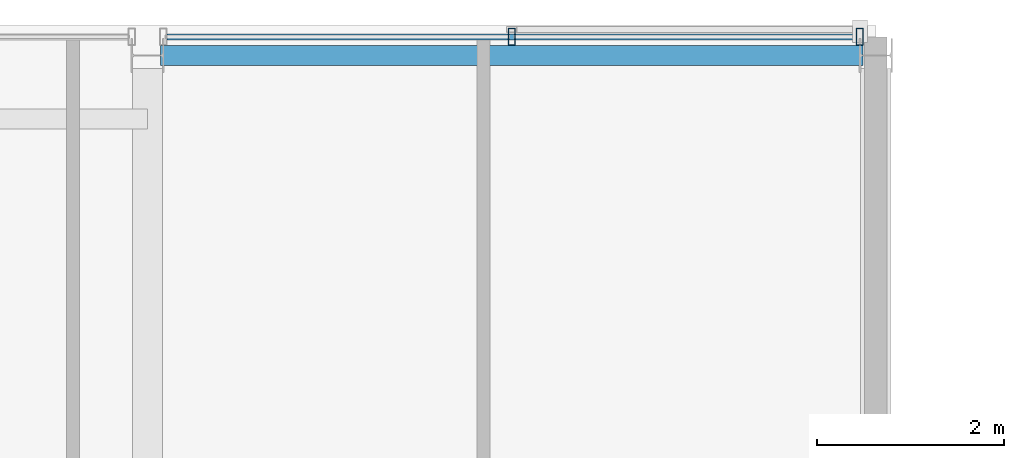
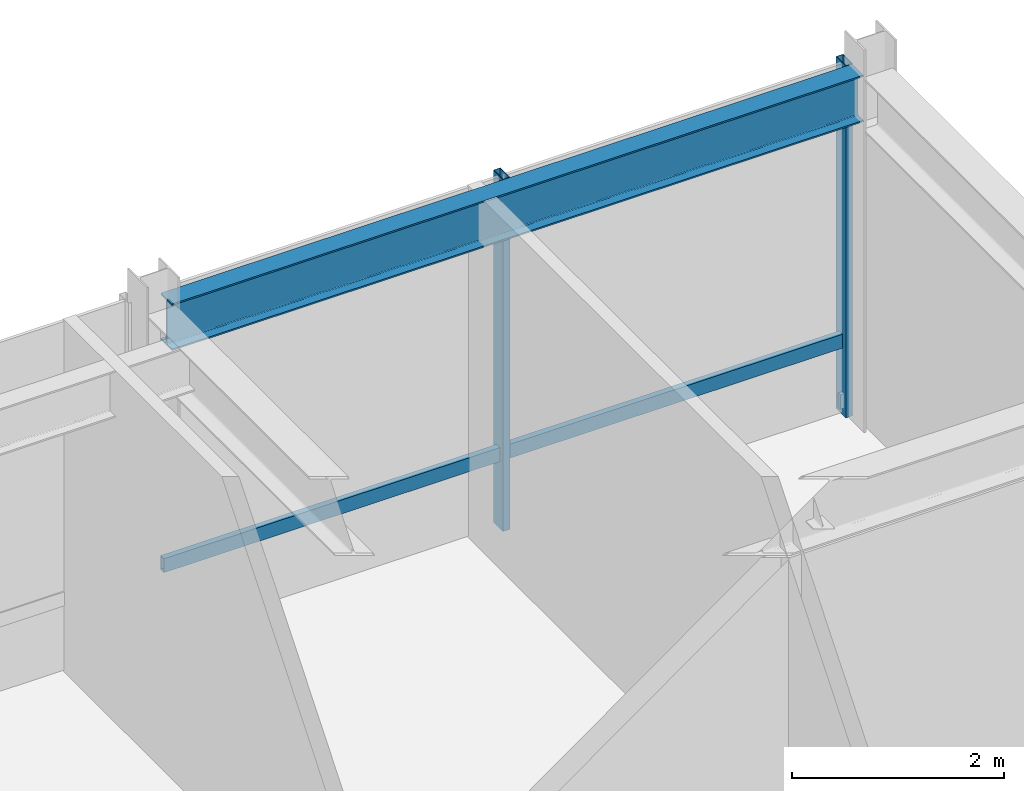
# One storey, part 27 of 33: 3 members, 1 beam, 1 element without a shape of its own.
"""IFC4 building model written with IfcOpenShell, lengths in metres."""

from ifc_helpers import new_model, si_unit, direction, frame, origin, origin_2d, place, context, subcontext, project, spatial, hollow_rectangle, i_section, extrude, material, layer, layer_set, material_profile, profile_set, type_object, element, aggregate, save


model = new_model("IFC4")

# Units and contexts
model_context = context("Model", 3, precision=1e-05, world=origin(), true_north=direction((0.0, 1.0)))
body_context = subcontext(model_context, "Body", "Model", "MODEL_VIEW")
ifc_project = project(units=[si_unit("LENGTHUNIT", "METRE"), si_unit("AREAUNIT", "SQUARE_METRE"), si_unit("VOLUMEUNIT", "CUBIC_METRE"), si_unit("PLANEANGLEUNIT", "RADIAN"), si_unit("MASSUNIT", "GRAM", prefix="KILO")], contexts=[model_context])

# Site, building, storey
site_placement = place(None, origin())
site = spatial("IfcSite", under=ifc_project, at=site_placement, CompositionType="ELEMENT")
building_placement = place(site_placement, origin())
building = spatial("IfcBuilding", under=site, at=building_placement, Name="Drelvath Grand Hotel", CompositionType="ELEMENT")
storey_placement = place(building_placement, frame((0.0, 0.0, 298.60009765625)))
storey = spatial("IfcBuildingStorey", under=building, at=storey_placement, Name="L78", CompositionType="ELEMENT", Elevation=298.60009765625)

# Curtain wall, members
ifc_material_1 = material(Name="Platinum-Mist Anodised Aluminium Frame", Category="aluminium")
ifc_layer = layer(ifc_material_1, 0.199951171875)
ifc_layer_set = layer_set([ifc_layer], Name="Platinum-Mist Anodised Aluminium Frame")
curtain_wall_type = type_object("IfcCurtainWallType", Name="Stick Curtain Wall CW-05 Platinum Mist High-Rise", PredefinedType="NOTDEFINED", material=ifc_layer_set)
curtain_wall_placement = place(storey_placement, origin())
curtain_wall = element("IfcCurtainWall", 1, at=curtain_wall_placement, inside=storey, type_object=curtain_wall_type, Name="L78 CW-05 Curtain Wall CW05-L78-NE2", PredefinedType="NOTDEFINED")
ifc_material_profile_1 = material_profile(ifc_material_1, hollow_rectangle(XDim=0.06494140625, YDim=0.159912109375, WallThickness=0.00390625, at=origin_2d()), Name="HSS160X65X4")
ifc_profile_set_1 = profile_set([ifc_material_profile_1], Name="Platinum-Mist Anodised Aluminium Frame")
member_type_1 = type_object("IfcMemberType", Name="Curtain Wall Horizontal Transom CW-05 HSS160X65X4", PredefinedType="USERDEFINED", material=ifc_profile_set_1)
member_1_placement = place(storey_placement, frame((8.610107421875, 49.080078125, 0.849853515625), z_axis=(1.0, 0.0, 0.0), x_axis=(0.0, 1.0, 0.0)))
member_1 = element("IfcMember", 2, at=member_1_placement, type_object=member_type_1, Name="CW05-L78-NE2 Sill Transom", ObjectType="TRANSOM", PredefinedType="USERDEFINED", context=body_context, shape_type="SweptSolid", body=[
    extrude(hollow_rectangle(XDim=0.06494140625, YDim=0.159912109375, WallThickness=0.00390625, at=origin_2d()), origin(), (0.0, 0.0, 1.0), 7.3798828125),
])
ifc_material_profile_2 = material_profile(ifc_material_1, hollow_rectangle(XDim=0.074951171875, YDim=0.179931640625, WallThickness=0.0048828125, at=origin_2d()), Name="HSS180X75X5")
ifc_profile_set_2 = profile_set([ifc_material_profile_2], Name="Platinum-Mist Anodised Aluminium Frame")
member_type_2 = type_object("IfcMemberType", Name="Curtain Wall Vertical Mullion CW-05 HSS180X75X5", PredefinedType="MULLION", material=ifc_profile_set_2)
member_2_placement = place(storey_placement, frame((12.300048828125, 49.080078125, 0.0), z_axis=(0.0, 0.0, 1.0), x_axis=(1.0, 0.0, 0.0)))
member_2 = element("IfcMember", 3, at=member_2_placement, type_object=member_type_2, Name="CW05-L78-NE2 Mullion 2", PredefinedType="MULLION", context=body_context, shape_type="SweptSolid", body=[
    extrude(hollow_rectangle(XDim=0.074951171875, YDim=0.179931640625, WallThickness=0.0048828125, at=origin_2d()), origin(), (0.0, 0.0, 1.0), 4.0498046875),
])
member_3_placement = place(storey_placement, frame((16.02978515625, 49.080078125, 0.0), z_axis=(0.0, 0.0, 1.0), x_axis=(1.0, 0.0, 0.0)))
member_3 = element("IfcMember", 4, at=member_3_placement, type_object=member_type_2, Name="CW05-L78-NE2 Mullion 3", PredefinedType="MULLION", context=body_context, shape_type="SweptSolid", body=[
    extrude(hollow_rectangle(XDim=0.074951171875, YDim=0.179931640625, WallThickness=0.0048828125, at=origin_2d()), origin(), (0.0, 0.0, 1.0), 4.0498046875),
])
aggregate(curtain_wall, [member_2, member_3, member_1])

# Beam
ifc_material_2 = material(Name="Steel ASTM A992 Gr 50", Category="steel")
ifc_material_profile_3 = material_profile(ifc_material_2, i_section(OverallWidth=0.210205078125, OverallDepth=0.53662109375, WebThickness=0.010986328125, FlangeThickness=0.017333984375, FilletRadius=0.01806640625, at=origin_2d()), Name="W21X68")
ifc_profile_set_3 = profile_set([ifc_material_profile_3], Name="Steel ASTM A992 Gr 50")
beam_type = type_object("IfcBeamType", Name="Perimeter Spandrel Beam W21X68", PredefinedType="SPANDREL", material=ifc_profile_set_3)
beam_placement = place(storey_placement, frame((8.5400390625, 48.8798828125, 3.781494140625), z_axis=(1.0, 0.0, 0.0), x_axis=(0.0, 1.0, 0.0)))
element("IfcBeam", 5, at=beam_placement, inside=storey, type_object=beam_type, Name="L78 Spandrel North E", PredefinedType="SPANDREL", context=body_context, shape_type="SweptSolid", body=[
    extrude(i_section(OverallWidth=0.210205078125, OverallDepth=0.53662109375, WebThickness=0.010986328125, FlangeThickness=0.017333984375, FilletRadius=0.01806640625, at=origin_2d()), origin(), (0.0, 0.0, 1.0), 7.52001953125),
])

save(model, "model.ifc")
